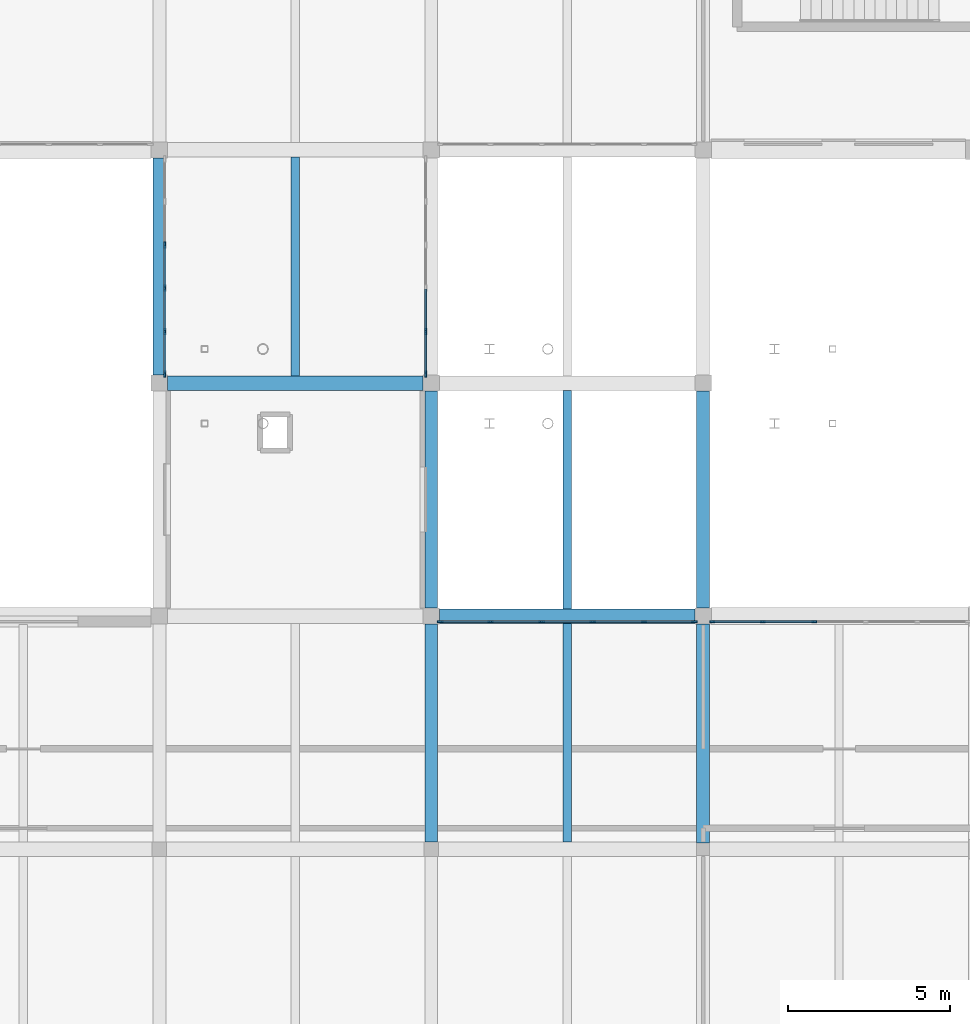
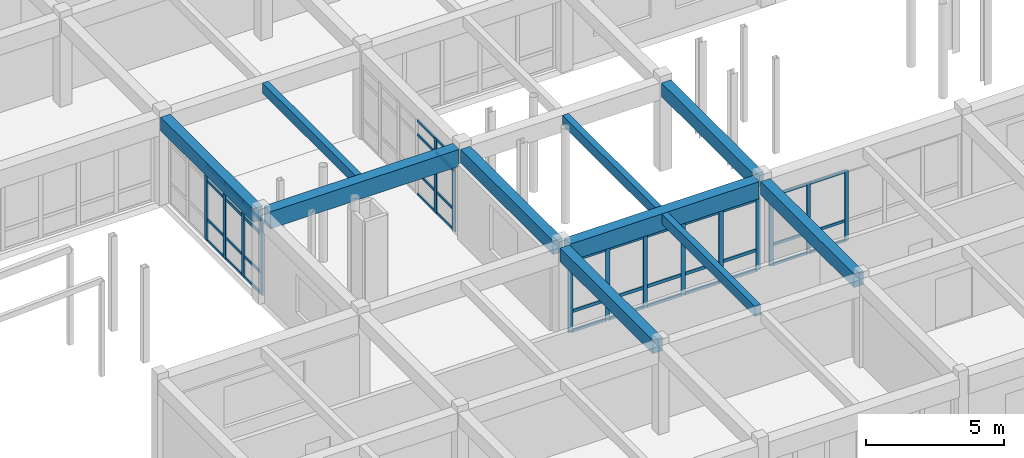
# One storey, part 46 of 147: 56 members, 10 beams, 4 elements without a shape of their own.
"""IFC4 building model written with IfcOpenShell, lengths in metres."""

from ifc_helpers import new_model, si_unit, direction, frame, origin, origin_2d, place, context, subcontext, project, spatial, rectangle, extrude, material, material_profile, profile_set, type_object, element, aggregate, save


model = new_model("IFC4")

# Units and contexts
model_context = context("Model", 3, precision=1e-05, world=origin(), true_north=direction((0.0, 1.0)))
body_context = subcontext(model_context, "Body", "Model", "MODEL_VIEW")
ifc_project = project(units=[si_unit("LENGTHUNIT", "METRE"), si_unit("AREAUNIT", "SQUARE_METRE"), si_unit("VOLUMEUNIT", "CUBIC_METRE"), si_unit("PLANEANGLEUNIT", "RADIAN"), si_unit("MASSUNIT", "GRAM", prefix="KILO")], contexts=[model_context])

# Site, building, storey
site_placement = place(None, origin())
site = spatial("IfcSite", under=ifc_project, at=site_placement, CompositionType="ELEMENT")
building_placement = place(site_placement, origin())
building = spatial("IfcBuilding", under=site, at=building_placement, Name="Malvenik Polytechnic", CompositionType="ELEMENT")
storey_placement = place(building_placement, frame((0.0, 0.0, 5.10009765625)))
storey = spatial("IfcBuildingStorey", under=building, at=storey_placement, Name="L01", CompositionType="ELEMENT", Elevation=5.10009765625)

# Curtain wall, members
ifc_material_1 = material(Name="Anodised aluminium 6060-T6", Category="aluminium")
curtain_wall_type_1 = type_object("IfcCurtainWallType", Name="ARC-CW-CW-02", PredefinedType="NOTDEFINED", material=ifc_material_1)
curtain_wall_1_placement = place(storey_placement, origin())
curtain_wall_1 = element("IfcCurtainWall", 1, at=curtain_wall_1_placement, inside=storey, type_object=curtain_wall_type_1, Name="Unitised Curtain Wall CW-02 L01 #95", PredefinedType="NOTDEFINED")
ifc_material_2 = material(Name="Anodised aluminium", Category="aluminium")
ifc_material_profile_1 = material_profile(ifc_material_2, rectangle(XDim=0.06005859375, YDim=0.159912109375, at=origin_2d()), Name="ALU MULLION 60x160")
ifc_profile_set_1 = profile_set([ifc_material_profile_1], Name="Anodised aluminium")
member_type_1 = type_object("IfcMemberType", Name="ARC-CWM-160", PredefinedType="MULLION", material=ifc_profile_set_1)
member_1_placement = place(storey_placement, frame((92.677978515625, 35.830078125, 0.0), z_axis=(0.0, 0.0, 1.0), x_axis=(0.0, 1.0, 0.0)))
member_1 = element("IfcMember", 2, at=member_1_placement, type_object=member_type_1, Name="CW-02 mullion 1", PredefinedType="MULLION", context=body_context, shape_type="SweptSolid", body=[
    extrude(rectangle(XDim=0.06005859375, YDim=0.159912109375, at=origin_2d()), origin(), (0.0, 0.0, 1.0), 3.10986328125),
])
member_2_placement = place(storey_placement, frame((94.23876953125, 35.830078125, 0.0), z_axis=(0.0, 0.0, 1.0), x_axis=(0.0, 1.0, 0.0)))
member_2 = element("IfcMember", 3, at=member_2_placement, type_object=member_type_1, Name="CW-02 mullion 2", PredefinedType="MULLION", context=body_context, shape_type="SweptSolid", body=[
    extrude(rectangle(XDim=0.06005859375, YDim=0.159912109375, at=origin_2d()), origin(), (0.0, 0.0, 1.0), 3.10986328125),
])
member_3_placement = place(storey_placement, frame((95.82958984375, 35.830078125, 0.0), z_axis=(0.0, 0.0, 1.0), x_axis=(0.0, 1.0, 0.0)))
member_3 = element("IfcMember", 4, at=member_3_placement, type_object=member_type_1, Name="CW-02 mullion 3", PredefinedType="MULLION", context=body_context, shape_type="SweptSolid", body=[
    extrude(rectangle(XDim=0.06005859375, YDim=0.159912109375, at=origin_2d()), origin(), (0.0, 0.0, 1.0), 3.10986328125),
])

curtain_wall_2_placement = place(storey_placement, origin())
curtain_wall_2 = element("IfcCurtainWall", 5, at=curtain_wall_2_placement, inside=storey, type_object=curtain_wall_type_1, Name="Unitised Curtain Wall CW-02 L01 #94", PredefinedType="NOTDEFINED")
ifc_material_profile_2 = material_profile(ifc_material_2, rectangle(XDim=0.06005859375, YDim=0.179931640625, at=origin_2d()), Name="ALU MULLION 60x180")
ifc_profile_set_2 = profile_set([ifc_material_profile_2], Name="Anodised aluminium")
member_type_2 = type_object("IfcMemberType", Name="ARC-CWM-180", PredefinedType="MULLION", material=ifc_profile_set_2)
member_4_placement = place(storey_placement, frame((84.278076171875, 35.830078125, 0.0), z_axis=(0.0, 0.0, 1.0), x_axis=(0.0, 1.0, 0.0)))
member_4 = element("IfcMember", 6, at=member_4_placement, type_object=member_type_2, Name="CW-02 mullion 1", PredefinedType="MULLION", context=body_context, shape_type="SweptSolid", body=[
    extrude(rectangle(XDim=0.06005859375, YDim=0.179931640625, at=origin_2d()), origin(), (0.0, 0.0, 1.0), 3.159912109375),
])
member_5_placement = place(storey_placement, frame((85.828857421875, 35.830078125, 0.0), z_axis=(0.0, 0.0, 1.0), x_axis=(0.0, 1.0, 0.0)))
member_5 = element("IfcMember", 7, at=member_5_placement, type_object=member_type_2, Name="CW-02 mullion 2", PredefinedType="MULLION", context=body_context, shape_type="SweptSolid", body=[
    extrude(rectangle(XDim=0.06005859375, YDim=0.179931640625, at=origin_2d()), origin(), (0.0, 0.0, 1.0), 3.159912109375),
])
member_6_placement = place(storey_placement, frame((87.40966796875, 35.830078125, 0.0), z_axis=(0.0, 0.0, 1.0), x_axis=(0.0, 1.0, 0.0)))
member_6 = element("IfcMember", 8, at=member_6_placement, type_object=member_type_2, Name="CW-02 mullion 3", PredefinedType="MULLION", context=body_context, shape_type="SweptSolid", body=[
    extrude(rectangle(XDim=0.06005859375, YDim=0.179931640625, at=origin_2d()), origin(), (0.0, 0.0, 1.0), 3.159912109375),
])
member_7_placement = place(storey_placement, frame((88.990478515625, 35.830078125, 0.0), z_axis=(0.0, 0.0, 1.0), x_axis=(0.0, 1.0, 0.0)))
member_7 = element("IfcMember", 9, at=member_7_placement, type_object=member_type_2, Name="CW-02 mullion 4", PredefinedType="MULLION", context=body_context, shape_type="SweptSolid", body=[
    extrude(rectangle(XDim=0.06005859375, YDim=0.179931640625, at=origin_2d()), origin(), (0.0, 0.0, 1.0), 3.159912109375),
])
member_8_placement = place(storey_placement, frame((90.5712890625, 35.830078125, 0.0), z_axis=(0.0, 0.0, 1.0), x_axis=(0.0, 1.0, 0.0)))
member_8 = element("IfcMember", 10, at=member_8_placement, type_object=member_type_2, Name="CW-02 mullion 5", PredefinedType="MULLION", context=body_context, shape_type="SweptSolid", body=[
    extrude(rectangle(XDim=0.06005859375, YDim=0.179931640625, at=origin_2d()), origin(), (0.0, 0.0, 1.0), 3.159912109375),
])
member_9_placement = place(storey_placement, frame((92.1220703125, 35.830078125, 0.0), z_axis=(0.0, 0.0, 1.0), x_axis=(0.0, 1.0, 0.0)))
member_9 = element("IfcMember", 11, at=member_9_placement, type_object=member_type_2, Name="CW-02 mullion 6", PredefinedType="MULLION", context=body_context, shape_type="SweptSolid", body=[
    extrude(rectangle(XDim=0.06005859375, YDim=0.179931640625, at=origin_2d()), origin(), (0.0, 0.0, 1.0), 3.159912109375),
])

curtain_wall_type_2 = type_object("IfcCurtainWallType", Name="ARC-CW-CW-05", PredefinedType="NOTDEFINED", material=ifc_material_1)
curtain_wall_3_placement = place(storey_placement, origin())
curtain_wall_3 = element("IfcCurtainWall", 12, at=curtain_wall_3_placement, inside=storey, type_object=curtain_wall_type_2, Name="Unitised Curtain Wall CW-05 L01 #93", PredefinedType="NOTDEFINED")
ifc_material_profile_3 = material_profile(ifc_material_2, rectangle(XDim=0.06005859375, YDim=0.199951171875, at=origin_2d()), Name="ALU MULLION 60x200")
ifc_profile_set_3 = profile_set([ifc_material_profile_3], Name="Anodised aluminium")
member_type_3 = type_object("IfcMemberType", Name="ARC-CWM-200", PredefinedType="MULLION", material=ifc_profile_set_3)
member_10_placement = place(storey_placement, frame((83.830078125, 44.788818359375, 0.0), z_axis=(0.0, 0.0, 1.0), x_axis=(1.0, 0.0, 0.0)))
member_10 = element("IfcMember", 13, at=member_10_placement, type_object=member_type_3, Name="CW-05 mullion 5", PredefinedType="MULLION", context=body_context, shape_type="SweptSolid", body=[
    extrude(rectangle(XDim=0.06005859375, YDim=0.199951171875, at=origin_2d()), origin(), (0.0, 0.0, 1.0), 3.309814453125),
])
member_11_placement = place(storey_placement, frame((83.830078125, 43.47802734375, 0.0), z_axis=(0.0, 0.0, 1.0), x_axis=(1.0, 0.0, 0.0)))
member_11 = element("IfcMember", 14, at=member_11_placement, type_object=member_type_3, Name="CW-05 mullion 6", PredefinedType="MULLION", context=body_context, shape_type="SweptSolid", body=[
    extrude(rectangle(XDim=0.06005859375, YDim=0.199951171875, at=origin_2d()), origin(), (0.0, 0.0, 1.0), 3.309814453125),
])

curtain_wall_4_placement = place(storey_placement, origin())
curtain_wall_4 = element("IfcCurtainWall", 15, at=curtain_wall_4_placement, inside=storey, type_object=curtain_wall_type_2, Name="Unitised Curtain Wall CW-05 L01 #117", PredefinedType="NOTDEFINED")
member_12_placement = place(storey_placement, frame((75.77001953125, 43.47802734375, 0.0), z_axis=(0.0, 0.0, 1.0), x_axis=(-1.0, 0.0, 0.0)))
member_12 = element("IfcMember", 16, at=member_12_placement, type_object=member_type_3, Name="CW-05 mullion 1", PredefinedType="MULLION", context=body_context, shape_type="SweptSolid", body=[
    extrude(rectangle(XDim=0.06005859375, YDim=0.199951171875, at=origin_2d()), origin(), (0.0, 0.0, 1.0), 3.309814453125),
])
member_13_placement = place(storey_placement, frame((75.77001953125, 44.788818359375, 0.0), z_axis=(0.0, 0.0, 1.0), x_axis=(-1.0, 0.0, 0.0)))
member_13 = element("IfcMember", 17, at=member_13_placement, type_object=member_type_3, Name="CW-05 mullion 2", PredefinedType="MULLION", context=body_context, shape_type="SweptSolid", body=[
    extrude(rectangle(XDim=0.06005859375, YDim=0.199951171875, at=origin_2d()), origin(), (0.0, 0.0, 1.0), 3.309814453125),
])
member_14_placement = place(storey_placement, frame((75.77001953125, 46.129638671875, 0.0), z_axis=(0.0, 0.0, 1.0), x_axis=(-1.0, 0.0, 0.0)))
member_14 = element("IfcMember", 18, at=member_14_placement, type_object=member_type_3, Name="CW-05 mullion 3", PredefinedType="MULLION", context=body_context, shape_type="SweptSolid", body=[
    extrude(rectangle(XDim=0.06005859375, YDim=0.199951171875, at=origin_2d()), origin(), (0.0, 0.0, 1.0), 3.309814453125),
])
member_15_placement = place(storey_placement, frame((75.77001953125, 47.470458984375, 0.0), z_axis=(0.0, 0.0, 1.0), x_axis=(-1.0, 0.0, 0.0)))
member_15 = element("IfcMember", 19, at=member_15_placement, type_object=member_type_3, Name="CW-05 mullion 4", PredefinedType="MULLION", context=body_context, shape_type="SweptSolid", body=[
    extrude(rectangle(XDim=0.06005859375, YDim=0.199951171875, at=origin_2d()), origin(), (0.0, 0.0, 1.0), 3.309814453125),
])

# Member
ifc_material_profile_4 = material_profile(ifc_material_2, rectangle(XDim=0.06005859375, YDim=0.1201171875, at=origin_2d()), Name="ALU TRANSOM 60x120")
ifc_profile_set_4 = profile_set([ifc_material_profile_4], Name="Anodised aluminium")
member_type_4 = type_object("IfcMemberType", Name="ARC-CWT-120", PredefinedType="USERDEFINED", material=ifc_profile_set_4)
member_16_placement = place(storey_placement, frame((83.830078125, 46.099609375, 0.02978515625), z_axis=(0.0, -1.0, 0.0), x_axis=(1.0, 0.0, 0.0)))
member_16 = element("IfcMember", 20, at=member_16_placement, type_object=member_type_4, Name="CW-05 transom 4.1", ObjectType="TRANSOM", PredefinedType="USERDEFINED", context=body_context, shape_type="SweptSolid", body=[
    extrude(rectangle(XDim=0.06005859375, YDim=0.1201171875, at=origin_2d()), origin(), (0.0, 0.0, 1.0), 1.28076171875),
])

member_17_placement = place(storey_placement, frame((83.830078125, 46.099609375, 0.949951171875), z_axis=(0.0, -1.0, 0.0), x_axis=(1.0, 0.0, 0.0)))
member_17 = element("IfcMember", 21, at=member_17_placement, type_object=member_type_4, Name="CW-05 transom 4.2", ObjectType="TRANSOM", PredefinedType="USERDEFINED", context=body_context, shape_type="SweptSolid", body=[
    extrude(rectangle(XDim=0.06005859375, YDim=0.1201171875, at=origin_2d()), origin(), (0.0, 0.0, 1.0), 1.28076171875),
])

member_18_placement = place(storey_placement, frame((83.830078125, 46.099609375, 2.659912109375), z_axis=(0.0, -1.0, 0.0), x_axis=(1.0, 0.0, 0.0)))
member_18 = element("IfcMember", 22, at=member_18_placement, type_object=member_type_4, Name="CW-05 transom 4.3", ObjectType="TRANSOM", PredefinedType="USERDEFINED", context=body_context, shape_type="SweptSolid", body=[
    extrude(rectangle(XDim=0.06005859375, YDim=0.1201171875, at=origin_2d()), origin(), (0.0, 0.0, 1.0), 1.28076171875),
])

member_19_placement = place(storey_placement, frame((83.830078125, 46.099609375, 3.27978515625), z_axis=(0.0, -1.0, 0.0), x_axis=(1.0, 0.0, 0.0)))
member_19 = element("IfcMember", 23, at=member_19_placement, type_object=member_type_4, Name="CW-05 transom 4.4", ObjectType="TRANSOM", PredefinedType="USERDEFINED", context=body_context, shape_type="SweptSolid", body=[
    extrude(rectangle(XDim=0.06005859375, YDim=0.1201171875, at=origin_2d()), origin(), (0.0, 0.0, 1.0), 1.28076171875),
])

member_20_placement = place(storey_placement, frame((83.830078125, 44.7587890625, 0.02978515625), z_axis=(0.0, -1.0, 0.0), x_axis=(1.0, 0.0, 0.0)))
member_20 = element("IfcMember", 24, at=member_20_placement, type_object=member_type_4, Name="CW-05 transom 5.1", ObjectType="TRANSOM", PredefinedType="USERDEFINED", context=body_context, shape_type="SweptSolid", body=[
    extrude(rectangle(XDim=0.06005859375, YDim=0.1201171875, at=origin_2d()), origin(), (0.0, 0.0, 1.0), 1.250732421875),
])

member_21_placement = place(storey_placement, frame((83.830078125, 44.7587890625, 0.949951171875), z_axis=(0.0, -1.0, 0.0), x_axis=(1.0, 0.0, 0.0)))
member_21 = element("IfcMember", 25, at=member_21_placement, type_object=member_type_4, Name="CW-05 transom 5.2", ObjectType="TRANSOM", PredefinedType="USERDEFINED", context=body_context, shape_type="SweptSolid", body=[
    extrude(rectangle(XDim=0.06005859375, YDim=0.1201171875, at=origin_2d()), origin(), (0.0, 0.0, 1.0), 1.250732421875),
])

member_22_placement = place(storey_placement, frame((83.830078125, 44.7587890625, 2.659912109375), z_axis=(0.0, -1.0, 0.0), x_axis=(1.0, 0.0, 0.0)))
member_22 = element("IfcMember", 26, at=member_22_placement, type_object=member_type_4, Name="CW-05 transom 5.3", ObjectType="TRANSOM", PredefinedType="USERDEFINED", context=body_context, shape_type="SweptSolid", body=[
    extrude(rectangle(XDim=0.06005859375, YDim=0.1201171875, at=origin_2d()), origin(), (0.0, 0.0, 1.0), 1.250732421875),
])

member_23_placement = place(storey_placement, frame((83.830078125, 44.7587890625, 3.27978515625), z_axis=(0.0, -1.0, 0.0), x_axis=(1.0, 0.0, 0.0)))
member_23 = element("IfcMember", 27, at=member_23_placement, type_object=member_type_4, Name="CW-05 transom 5.4", ObjectType="TRANSOM", PredefinedType="USERDEFINED", context=body_context, shape_type="SweptSolid", body=[
    extrude(rectangle(XDim=0.06005859375, YDim=0.1201171875, at=origin_2d()), origin(), (0.0, 0.0, 1.0), 1.250732421875),
])

aggregate(curtain_wall_3, [member_10, member_11, member_16, member_17, member_18, member_19, member_20, member_21, member_22, member_23])

member_24_placement = place(storey_placement, frame((92.7080078125, 35.830078125, 0.02978515625), z_axis=(1.0, 0.0, 0.0), x_axis=(0.0, 1.0, 0.0)))
member_24 = element("IfcMember", 28, at=member_24_placement, type_object=member_type_4, Name="CW-02 transom 1.1", ObjectType="TRANSOM", PredefinedType="USERDEFINED", context=body_context, shape_type="SweptSolid", body=[
    extrude(rectangle(XDim=0.06005859375, YDim=0.1201171875, at=origin_2d()), origin(), (0.0, 0.0, 1.0), 1.500732421875),
])

member_25_placement = place(storey_placement, frame((92.7080078125, 35.830078125, 0.89990234375), z_axis=(1.0, 0.0, 0.0), x_axis=(0.0, 1.0, 0.0)))
member_25 = element("IfcMember", 29, at=member_25_placement, type_object=member_type_4, Name="CW-02 transom 1.2", ObjectType="TRANSOM", PredefinedType="USERDEFINED", context=body_context, shape_type="SweptSolid", body=[
    extrude(rectangle(XDim=0.06005859375, YDim=0.1201171875, at=origin_2d()), origin(), (0.0, 0.0, 1.0), 1.500732421875),
])

member_26_placement = place(storey_placement, frame((92.7080078125, 35.830078125, 3.079833984375), z_axis=(1.0, 0.0, 0.0), x_axis=(0.0, 1.0, 0.0)))
member_26 = element("IfcMember", 30, at=member_26_placement, type_object=member_type_4, Name="CW-02 transom 1.3", ObjectType="TRANSOM", PredefinedType="USERDEFINED", context=body_context, shape_type="SweptSolid", body=[
    extrude(rectangle(XDim=0.06005859375, YDim=0.1201171875, at=origin_2d()), origin(), (0.0, 0.0, 1.0), 1.500732421875),
])

member_27_placement = place(storey_placement, frame((94.268798828125, 35.830078125, 0.02978515625), z_axis=(1.0, 0.0, 0.0), x_axis=(0.0, 1.0, 0.0)))
member_27 = element("IfcMember", 31, at=member_27_placement, type_object=member_type_4, Name="CW-02 transom 2.1", ObjectType="TRANSOM", PredefinedType="USERDEFINED", context=body_context, shape_type="SweptSolid", body=[
    extrude(rectangle(XDim=0.06005859375, YDim=0.1201171875, at=origin_2d()), origin(), (0.0, 0.0, 1.0), 1.53076171875),
])

member_28_placement = place(storey_placement, frame((94.268798828125, 35.830078125, 0.89990234375), z_axis=(1.0, 0.0, 0.0), x_axis=(0.0, 1.0, 0.0)))
member_28 = element("IfcMember", 32, at=member_28_placement, type_object=member_type_4, Name="CW-02 transom 2.2", ObjectType="TRANSOM", PredefinedType="USERDEFINED", context=body_context, shape_type="SweptSolid", body=[
    extrude(rectangle(XDim=0.06005859375, YDim=0.1201171875, at=origin_2d()), origin(), (0.0, 0.0, 1.0), 1.53076171875),
])

member_29_placement = place(storey_placement, frame((94.268798828125, 35.830078125, 3.079833984375), z_axis=(1.0, 0.0, 0.0), x_axis=(0.0, 1.0, 0.0)))
member_29 = element("IfcMember", 33, at=member_29_placement, type_object=member_type_4, Name="CW-02 transom 2.3", ObjectType="TRANSOM", PredefinedType="USERDEFINED", context=body_context, shape_type="SweptSolid", body=[
    extrude(rectangle(XDim=0.06005859375, YDim=0.1201171875, at=origin_2d()), origin(), (0.0, 0.0, 1.0), 1.53076171875),
])

aggregate(curtain_wall_1, [member_1, member_2, member_3, member_24, member_25, member_26, member_27, member_28, member_29])

member_30_placement = place(storey_placement, frame((75.77001953125, 43.508056640625, 0.02978515625), z_axis=(0.0, 1.0, 0.0), x_axis=(-1.0, 0.0, 0.0)))
member_30 = element("IfcMember", 34, at=member_30_placement, type_object=member_type_4, Name="CW-05 transom 1.1", ObjectType="TRANSOM", PredefinedType="USERDEFINED", context=body_context, shape_type="SweptSolid", body=[
    extrude(rectangle(XDim=0.06005859375, YDim=0.1201171875, at=origin_2d()), origin(), (0.0, 0.0, 1.0), 1.250732421875),
])

member_31_placement = place(storey_placement, frame((75.77001953125, 43.508056640625, 0.949951171875), z_axis=(0.0, 1.0, 0.0), x_axis=(-1.0, 0.0, 0.0)))
member_31 = element("IfcMember", 35, at=member_31_placement, type_object=member_type_4, Name="CW-05 transom 1.2", ObjectType="TRANSOM", PredefinedType="USERDEFINED", context=body_context, shape_type="SweptSolid", body=[
    extrude(rectangle(XDim=0.06005859375, YDim=0.1201171875, at=origin_2d()), origin(), (0.0, 0.0, 1.0), 1.250732421875),
])

member_32_placement = place(storey_placement, frame((75.77001953125, 43.508056640625, 2.659912109375), z_axis=(0.0, 1.0, 0.0), x_axis=(-1.0, 0.0, 0.0)))
member_32 = element("IfcMember", 36, at=member_32_placement, type_object=member_type_4, Name="CW-05 transom 1.3", ObjectType="TRANSOM", PredefinedType="USERDEFINED", context=body_context, shape_type="SweptSolid", body=[
    extrude(rectangle(XDim=0.06005859375, YDim=0.1201171875, at=origin_2d()), origin(), (0.0, 0.0, 1.0), 1.250732421875),
])

member_33_placement = place(storey_placement, frame((75.77001953125, 43.508056640625, 3.27978515625), z_axis=(0.0, 1.0, 0.0), x_axis=(-1.0, 0.0, 0.0)))
member_33 = element("IfcMember", 37, at=member_33_placement, type_object=member_type_4, Name="CW-05 transom 1.4", ObjectType="TRANSOM", PredefinedType="USERDEFINED", context=body_context, shape_type="SweptSolid", body=[
    extrude(rectangle(XDim=0.06005859375, YDim=0.1201171875, at=origin_2d()), origin(), (0.0, 0.0, 1.0), 1.250732421875),
])

member_34_placement = place(storey_placement, frame((75.77001953125, 44.81884765625, 0.02978515625), z_axis=(0.0, 1.0, 0.0), x_axis=(-1.0, 0.0, 0.0)))
member_34 = element("IfcMember", 38, at=member_34_placement, type_object=member_type_4, Name="CW-05 transom 2.1", ObjectType="TRANSOM", PredefinedType="USERDEFINED", context=body_context, shape_type="SweptSolid", body=[
    extrude(rectangle(XDim=0.06005859375, YDim=0.1201171875, at=origin_2d()), origin(), (0.0, 0.0, 1.0), 1.28076171875),
])

member_35_placement = place(storey_placement, frame((75.77001953125, 44.81884765625, 0.949951171875), z_axis=(0.0, 1.0, 0.0), x_axis=(-1.0, 0.0, 0.0)))
member_35 = element("IfcMember", 39, at=member_35_placement, type_object=member_type_4, Name="CW-05 transom 2.2", ObjectType="TRANSOM", PredefinedType="USERDEFINED", context=body_context, shape_type="SweptSolid", body=[
    extrude(rectangle(XDim=0.06005859375, YDim=0.1201171875, at=origin_2d()), origin(), (0.0, 0.0, 1.0), 1.28076171875),
])

member_36_placement = place(storey_placement, frame((75.77001953125, 44.81884765625, 2.659912109375), z_axis=(0.0, 1.0, 0.0), x_axis=(-1.0, 0.0, 0.0)))
member_36 = element("IfcMember", 40, at=member_36_placement, type_object=member_type_4, Name="CW-05 transom 2.3", ObjectType="TRANSOM", PredefinedType="USERDEFINED", context=body_context, shape_type="SweptSolid", body=[
    extrude(rectangle(XDim=0.06005859375, YDim=0.1201171875, at=origin_2d()), origin(), (0.0, 0.0, 1.0), 1.28076171875),
])

member_37_placement = place(storey_placement, frame((75.77001953125, 44.81884765625, 3.27978515625), z_axis=(0.0, 1.0, 0.0), x_axis=(-1.0, 0.0, 0.0)))
member_37 = element("IfcMember", 41, at=member_37_placement, type_object=member_type_4, Name="CW-05 transom 2.4", ObjectType="TRANSOM", PredefinedType="USERDEFINED", context=body_context, shape_type="SweptSolid", body=[
    extrude(rectangle(XDim=0.06005859375, YDim=0.1201171875, at=origin_2d()), origin(), (0.0, 0.0, 1.0), 1.28076171875),
])

member_38_placement = place(storey_placement, frame((75.77001953125, 46.15966796875, 0.02978515625), z_axis=(0.0, 1.0, 0.0), x_axis=(-1.0, 0.0, 0.0)))
member_38 = element("IfcMember", 42, at=member_38_placement, type_object=member_type_4, Name="CW-05 transom 3.1", ObjectType="TRANSOM", PredefinedType="USERDEFINED", context=body_context, shape_type="SweptSolid", body=[
    extrude(rectangle(XDim=0.06005859375, YDim=0.1201171875, at=origin_2d()), origin(), (0.0, 0.0, 1.0), 1.28076171875),
])

member_39_placement = place(storey_placement, frame((75.77001953125, 46.15966796875, 0.949951171875), z_axis=(0.0, 1.0, 0.0), x_axis=(-1.0, 0.0, 0.0)))
member_39 = element("IfcMember", 43, at=member_39_placement, type_object=member_type_4, Name="CW-05 transom 3.2", ObjectType="TRANSOM", PredefinedType="USERDEFINED", context=body_context, shape_type="SweptSolid", body=[
    extrude(rectangle(XDim=0.06005859375, YDim=0.1201171875, at=origin_2d()), origin(), (0.0, 0.0, 1.0), 1.28076171875),
])

member_40_placement = place(storey_placement, frame((75.77001953125, 46.15966796875, 2.659912109375), z_axis=(0.0, 1.0, 0.0), x_axis=(-1.0, 0.0, 0.0)))
member_40 = element("IfcMember", 44, at=member_40_placement, type_object=member_type_4, Name="CW-05 transom 3.3", ObjectType="TRANSOM", PredefinedType="USERDEFINED", context=body_context, shape_type="SweptSolid", body=[
    extrude(rectangle(XDim=0.06005859375, YDim=0.1201171875, at=origin_2d()), origin(), (0.0, 0.0, 1.0), 1.28076171875),
])

member_41_placement = place(storey_placement, frame((75.77001953125, 46.15966796875, 3.27978515625), z_axis=(0.0, 1.0, 0.0), x_axis=(-1.0, 0.0, 0.0)))
member_41 = element("IfcMember", 45, at=member_41_placement, type_object=member_type_4, Name="CW-05 transom 3.4", ObjectType="TRANSOM", PredefinedType="USERDEFINED", context=body_context, shape_type="SweptSolid", body=[
    extrude(rectangle(XDim=0.06005859375, YDim=0.1201171875, at=origin_2d()), origin(), (0.0, 0.0, 1.0), 1.28076171875),
])

aggregate(curtain_wall_4, [member_12, member_13, member_14, member_15, member_30, member_31, member_32, member_33, member_34, member_35, member_36, member_37, member_38, member_39, member_40, member_41])

ifc_material_profile_5 = material_profile(ifc_material_2, rectangle(XDim=0.06005859375, YDim=0.139892578125, at=origin_2d()), Name="ALU TRANSOM 60x140")
ifc_profile_set_5 = profile_set([ifc_material_profile_5], Name="Anodised aluminium")
member_type_5 = type_object("IfcMemberType", Name="ARC-CWT-140", PredefinedType="USERDEFINED", material=ifc_profile_set_5)
member_42_placement = place(storey_placement, frame((84.30810546875, 35.830078125, 0.02978515625), z_axis=(1.0, 0.0, 0.0), x_axis=(0.0, 1.0, 0.0)))
member_42 = element("IfcMember", 46, at=member_42_placement, type_object=member_type_5, Name="CW-02 transom 1.1", ObjectType="TRANSOM", PredefinedType="USERDEFINED", context=body_context, shape_type="SweptSolid", body=[
    extrude(rectangle(XDim=0.06005859375, YDim=0.139892578125, at=origin_2d()), origin(), (0.0, 0.0, 1.0), 1.49072265625),
])

member_43_placement = place(storey_placement, frame((84.30810546875, 35.830078125, 0.89990234375), z_axis=(1.0, 0.0, 0.0), x_axis=(0.0, 1.0, 0.0)))
member_43 = element("IfcMember", 47, at=member_43_placement, type_object=member_type_5, Name="CW-02 transom 1.2", ObjectType="TRANSOM", PredefinedType="USERDEFINED", context=body_context, shape_type="SweptSolid", body=[
    extrude(rectangle(XDim=0.06005859375, YDim=0.139892578125, at=origin_2d()), origin(), (0.0, 0.0, 1.0), 1.49072265625),
])

member_44_placement = place(storey_placement, frame((84.30810546875, 35.830078125, 3.1298828125), z_axis=(1.0, 0.0, 0.0), x_axis=(0.0, 1.0, 0.0)))
member_44 = element("IfcMember", 48, at=member_44_placement, type_object=member_type_5, Name="CW-02 transom 1.3", ObjectType="TRANSOM", PredefinedType="USERDEFINED", context=body_context, shape_type="SweptSolid", body=[
    extrude(rectangle(XDim=0.06005859375, YDim=0.139892578125, at=origin_2d()), origin(), (0.0, 0.0, 1.0), 1.49072265625),
])

member_45_placement = place(storey_placement, frame((85.85888671875, 35.830078125, 0.02978515625), z_axis=(1.0, 0.0, 0.0), x_axis=(0.0, 1.0, 0.0)))
member_45 = element("IfcMember", 49, at=member_45_placement, type_object=member_type_5, Name="CW-02 transom 2.1", ObjectType="TRANSOM", PredefinedType="USERDEFINED", context=body_context, shape_type="SweptSolid", body=[
    extrude(rectangle(XDim=0.06005859375, YDim=0.139892578125, at=origin_2d()), origin(), (0.0, 0.0, 1.0), 1.520751953125),
])

member_46_placement = place(storey_placement, frame((85.85888671875, 35.830078125, 0.89990234375), z_axis=(1.0, 0.0, 0.0), x_axis=(0.0, 1.0, 0.0)))
member_46 = element("IfcMember", 50, at=member_46_placement, type_object=member_type_5, Name="CW-02 transom 2.2", ObjectType="TRANSOM", PredefinedType="USERDEFINED", context=body_context, shape_type="SweptSolid", body=[
    extrude(rectangle(XDim=0.06005859375, YDim=0.139892578125, at=origin_2d()), origin(), (0.0, 0.0, 1.0), 1.520751953125),
])

member_47_placement = place(storey_placement, frame((85.85888671875, 35.830078125, 3.1298828125), z_axis=(1.0, 0.0, 0.0), x_axis=(0.0, 1.0, 0.0)))
member_47 = element("IfcMember", 51, at=member_47_placement, type_object=member_type_5, Name="CW-02 transom 2.3", ObjectType="TRANSOM", PredefinedType="USERDEFINED", context=body_context, shape_type="SweptSolid", body=[
    extrude(rectangle(XDim=0.06005859375, YDim=0.139892578125, at=origin_2d()), origin(), (0.0, 0.0, 1.0), 1.520751953125),
])

member_48_placement = place(storey_placement, frame((87.439697265625, 35.830078125, 0.02978515625), z_axis=(1.0, 0.0, 0.0), x_axis=(0.0, 1.0, 0.0)))
member_48 = element("IfcMember", 52, at=member_48_placement, type_object=member_type_5, Name="CW-02 transom 3.1", ObjectType="TRANSOM", PredefinedType="USERDEFINED", context=body_context, shape_type="SweptSolid", body=[
    extrude(rectangle(XDim=0.06005859375, YDim=0.139892578125, at=origin_2d()), origin(), (0.0, 0.0, 1.0), 1.520751953125),
])

member_49_placement = place(storey_placement, frame((87.439697265625, 35.830078125, 0.89990234375), z_axis=(1.0, 0.0, 0.0), x_axis=(0.0, 1.0, 0.0)))
member_49 = element("IfcMember", 53, at=member_49_placement, type_object=member_type_5, Name="CW-02 transom 3.2", ObjectType="TRANSOM", PredefinedType="USERDEFINED", context=body_context, shape_type="SweptSolid", body=[
    extrude(rectangle(XDim=0.06005859375, YDim=0.139892578125, at=origin_2d()), origin(), (0.0, 0.0, 1.0), 1.520751953125),
])

member_50_placement = place(storey_placement, frame((87.439697265625, 35.830078125, 3.1298828125), z_axis=(1.0, 0.0, 0.0), x_axis=(0.0, 1.0, 0.0)))
member_50 = element("IfcMember", 54, at=member_50_placement, type_object=member_type_5, Name="CW-02 transom 3.3", ObjectType="TRANSOM", PredefinedType="USERDEFINED", context=body_context, shape_type="SweptSolid", body=[
    extrude(rectangle(XDim=0.06005859375, YDim=0.139892578125, at=origin_2d()), origin(), (0.0, 0.0, 1.0), 1.520751953125),
])

member_51_placement = place(storey_placement, frame((89.0205078125, 35.830078125, 0.02978515625), z_axis=(1.0, 0.0, 0.0), x_axis=(0.0, 1.0, 0.0)))
member_51 = element("IfcMember", 55, at=member_51_placement, type_object=member_type_5, Name="CW-02 transom 4.1", ObjectType="TRANSOM", PredefinedType="USERDEFINED", context=body_context, shape_type="SweptSolid", body=[
    extrude(rectangle(XDim=0.06005859375, YDim=0.139892578125, at=origin_2d()), origin(), (0.0, 0.0, 1.0), 1.520751953125),
])

member_52_placement = place(storey_placement, frame((89.0205078125, 35.830078125, 0.89990234375), z_axis=(1.0, 0.0, 0.0), x_axis=(0.0, 1.0, 0.0)))
member_52 = element("IfcMember", 56, at=member_52_placement, type_object=member_type_5, Name="CW-02 transom 4.2", ObjectType="TRANSOM", PredefinedType="USERDEFINED", context=body_context, shape_type="SweptSolid", body=[
    extrude(rectangle(XDim=0.06005859375, YDim=0.139892578125, at=origin_2d()), origin(), (0.0, 0.0, 1.0), 1.520751953125),
])

member_53_placement = place(storey_placement, frame((89.0205078125, 35.830078125, 3.1298828125), z_axis=(1.0, 0.0, 0.0), x_axis=(0.0, 1.0, 0.0)))
member_53 = element("IfcMember", 57, at=member_53_placement, type_object=member_type_5, Name="CW-02 transom 4.3", ObjectType="TRANSOM", PredefinedType="USERDEFINED", context=body_context, shape_type="SweptSolid", body=[
    extrude(rectangle(XDim=0.06005859375, YDim=0.139892578125, at=origin_2d()), origin(), (0.0, 0.0, 1.0), 1.520751953125),
])

member_54_placement = place(storey_placement, frame((90.601318359375, 35.830078125, 0.02978515625), z_axis=(1.0, 0.0, 0.0), x_axis=(0.0, 1.0, 0.0)))
member_54 = element("IfcMember", 58, at=member_54_placement, type_object=member_type_5, Name="CW-02 transom 5.1", ObjectType="TRANSOM", PredefinedType="USERDEFINED", context=body_context, shape_type="SweptSolid", body=[
    extrude(rectangle(XDim=0.06005859375, YDim=0.139892578125, at=origin_2d()), origin(), (0.0, 0.0, 1.0), 1.49072265625),
])

member_55_placement = place(storey_placement, frame((90.601318359375, 35.830078125, 0.89990234375), z_axis=(1.0, 0.0, 0.0), x_axis=(0.0, 1.0, 0.0)))
member_55 = element("IfcMember", 59, at=member_55_placement, type_object=member_type_5, Name="CW-02 transom 5.2", ObjectType="TRANSOM", PredefinedType="USERDEFINED", context=body_context, shape_type="SweptSolid", body=[
    extrude(rectangle(XDim=0.06005859375, YDim=0.139892578125, at=origin_2d()), origin(), (0.0, 0.0, 1.0), 1.49072265625),
])

member_56_placement = place(storey_placement, frame((90.601318359375, 35.830078125, 3.1298828125), z_axis=(1.0, 0.0, 0.0), x_axis=(0.0, 1.0, 0.0)))
member_56 = element("IfcMember", 60, at=member_56_placement, type_object=member_type_5, Name="CW-02 transom 5.3", ObjectType="TRANSOM", PredefinedType="USERDEFINED", context=body_context, shape_type="SweptSolid", body=[
    extrude(rectangle(XDim=0.06005859375, YDim=0.139892578125, at=origin_2d()), origin(), (0.0, 0.0, 1.0), 1.49072265625),
])

aggregate(curtain_wall_2, [member_4, member_5, member_6, member_7, member_8, member_9, member_42, member_43, member_44, member_45, member_46, member_47, member_48, member_49, member_50, member_51, member_52, member_53, member_54, member_55, member_56])

# Beams
ifc_material_3 = material(Name="Concrete C35/45", Category="concrete")
ifc_material_profile_6 = material_profile(ifc_material_3, rectangle(XDim=0.449951171875, YDim=0.75, at=origin_2d()), Name="RC BM 450x750")
ifc_profile_set_6 = profile_set([ifc_material_profile_6], Name="Concrete C35/45")
beam_type_1 = type_object("IfcBeamType", Name="STR-BM-B-03", PredefinedType="BEAM", material=ifc_profile_set_6)
for number, where, z_axis, x_axis, name in (
    (61, (84.248046875, 36.0, 3.544921875), (1.0, 0.0, 0.0), (0.0, 1.0, 0.0), "Primary Beam B-03 L01 #992"),
    (62, (75.847900390625, 43.199951171875, 3.544921875), (1.0, 0.0, 0.0), (0.0, 1.0, 0.0), "Primary Beam B-03 L01 #998"),
):
    element("IfcBeam", number, at=place(storey_placement, frame(where, z_axis=z_axis, x_axis=x_axis)), inside=storey, type_object=beam_type_1, Name=name, PredefinedType="BEAM", context=body_context, shape_type="SweptSolid", body=[
        extrude(rectangle(XDim=0.449951171875, YDim=0.75, at=origin_2d()), origin(), (0.0, 0.0, 1.0), 7.904052734375),
    ])
ifc_material_profile_7 = material_profile(ifc_material_3, rectangle(XDim=0.39990234375, YDim=0.60009765625, at=origin_2d()), Name="RC BM 400x600")
ifc_profile_set_7 = profile_set([ifc_material_profile_7], Name="Concrete C35/45")
beam_type_2 = type_object("IfcBeamType", Name="STR-BM-B-06", PredefinedType="BEAM", material=ifc_profile_set_7)
beam_1_placement = place(storey_placement, frame((75.60009765625, 43.447998046875, 3.619873046875), z_axis=(0.0, 1.0, 0.0), x_axis=(-1.0, 0.0, 0.0)))
element("IfcBeam", 63, at=beam_1_placement, inside=storey, type_object=beam_type_2, Name="Transverse Beam B-06 L01 #1182", PredefinedType="BEAM", context=body_context, shape_type="SweptSolid", body=[
    extrude(rectangle(XDim=0.39990234375, YDim=0.60009765625, at=origin_2d()), origin(), (0.0, 0.0, 1.0), 6.7041015625),
])
beam_2_placement = place(storey_placement, frame((84.0, 29.02294921875, 3.619873046875), z_axis=(0.0, 1.0, 0.0), x_axis=(-1.0, 0.0, 0.0)))
element("IfcBeam", 64, at=beam_2_placement, inside=storey, type_object=beam_type_2, Name="Transverse Beam B-06 L01 #1188", PredefinedType="BEAM", context=body_context, shape_type="SweptSolid", body=[
    extrude(rectangle(XDim=0.39990234375, YDim=0.60009765625, at=origin_2d()), origin(), (0.0, 0.0, 1.0), 6.72900390625),
])
beam_3_placement = place(storey_placement, frame((84.0, 36.248046875, 3.619873046875), z_axis=(0.0, 1.0, 0.0), x_axis=(-1.0, 0.0, 0.0)))
element("IfcBeam", 65, at=beam_3_placement, inside=storey, type_object=beam_type_2, Name="Transverse Beam B-06 L01 #1189", PredefinedType="BEAM", context=body_context, shape_type="SweptSolid", body=[
    extrude(rectangle(XDim=0.39990234375, YDim=0.60009765625, at=origin_2d()), origin(), (0.0, 0.0, 1.0), 6.703857421875),
])
beam_4_placement = place(storey_placement, frame((92.39990234375, 28.998046875, 3.619873046875), z_axis=(0.0, 1.0, 0.0), x_axis=(-1.0, 0.0, 0.0)))
element("IfcBeam", 66, at=beam_4_placement, inside=storey, type_object=beam_type_2, Name="Transverse Beam B-06 L01 #1198", PredefinedType="BEAM", context=body_context, shape_type="SweptSolid", body=[
    extrude(rectangle(XDim=0.39990234375, YDim=0.60009765625, at=origin_2d()), origin(), (0.0, 0.0, 1.0), 6.75390625),
])
beam_5_placement = place(storey_placement, frame((92.39990234375, 36.248046875, 3.619873046875), z_axis=(0.0, 1.0, 0.0), x_axis=(-1.0, 0.0, 0.0)))
element("IfcBeam", 67, at=beam_5_placement, inside=storey, type_object=beam_type_2, Name="Transverse Beam B-06 L01 #1199", PredefinedType="BEAM", context=body_context, shape_type="SweptSolid", body=[
    extrude(rectangle(XDim=0.39990234375, YDim=0.60009765625, at=origin_2d()), origin(), (0.0, 0.0, 1.0), 6.703857421875),
])
ifc_material_4 = material(Name="Concrete C30/37", Category="concrete")
ifc_material_profile_8 = material_profile(ifc_material_4, rectangle(XDim=0.25, YDim=0.449951171875, at=origin_2d()), Name="RC JST 250x450")
ifc_profile_set_8 = profile_set([ifc_material_profile_8], Name="Concrete C30/37")
beam_type_3 = type_object("IfcBeamType", Name="STR-BM-J-02", PredefinedType="JOIST", material=ifc_profile_set_8)
beam_6_placement = place(storey_placement, frame((79.800048828125, 43.423095703125, 3.69482421875), z_axis=(0.0, 1.0, 0.0), x_axis=(-1.0, 0.0, 0.0)))
element("IfcBeam", 68, at=beam_6_placement, inside=storey, type_object=beam_type_3, Name="Secondary Rib Joist J-02 L01 #1287", PredefinedType="JOIST", context=body_context, shape_type="SweptSolid", body=[
    extrude(rectangle(XDim=0.25, YDim=0.449951171875, at=origin_2d()), origin(), (0.0, 0.0, 1.0), 6.75390625),
])
for number, where, z_axis, x_axis, name in (
    (69, (88.199951171875, 29.02294921875, 3.69482421875), (0.0, 1.0, 0.0), (-1.0, 0.0, 0.0), "Secondary Rib Joist J-02 L01 #1293"),
    (70, (88.199951171875, 36.222900390625, 3.69482421875), (0.0, 1.0, 0.0), (-1.0, 0.0, 0.0), "Secondary Rib Joist J-02 L01 #1294"),
):
    element("IfcBeam", number, at=place(storey_placement, frame(where, z_axis=z_axis, x_axis=x_axis)), inside=storey, type_object=beam_type_3, Name=name, PredefinedType="JOIST", context=body_context, shape_type="SweptSolid", body=[
        extrude(rectangle(XDim=0.25, YDim=0.449951171875, at=origin_2d()), origin(), (0.0, 0.0, 1.0), 6.754150390625),
    ])

save(model, "model.ifc")
